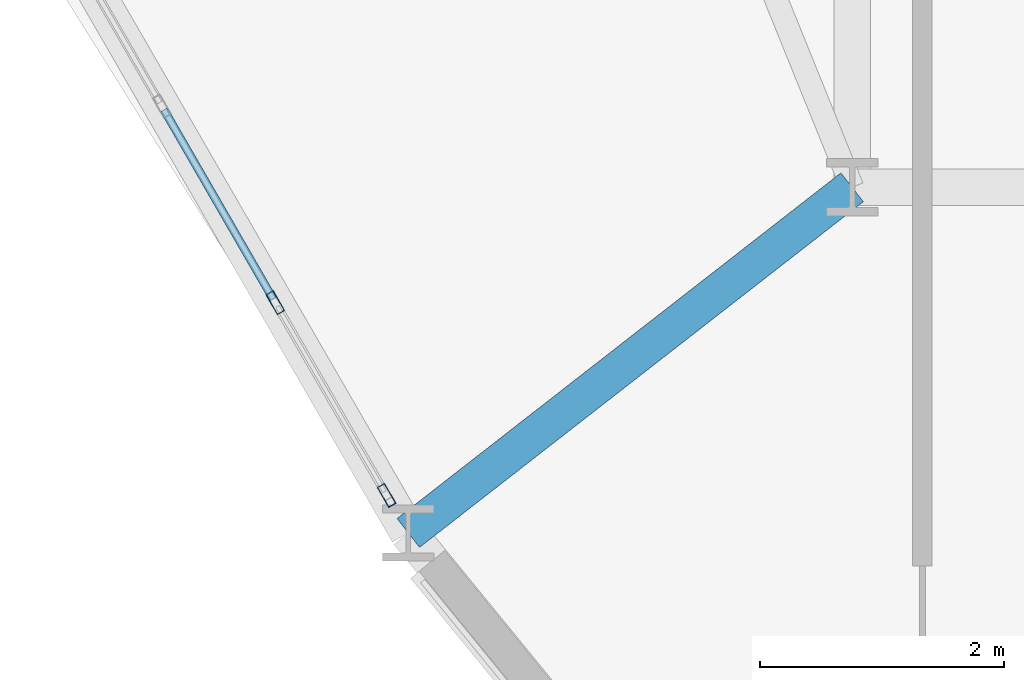
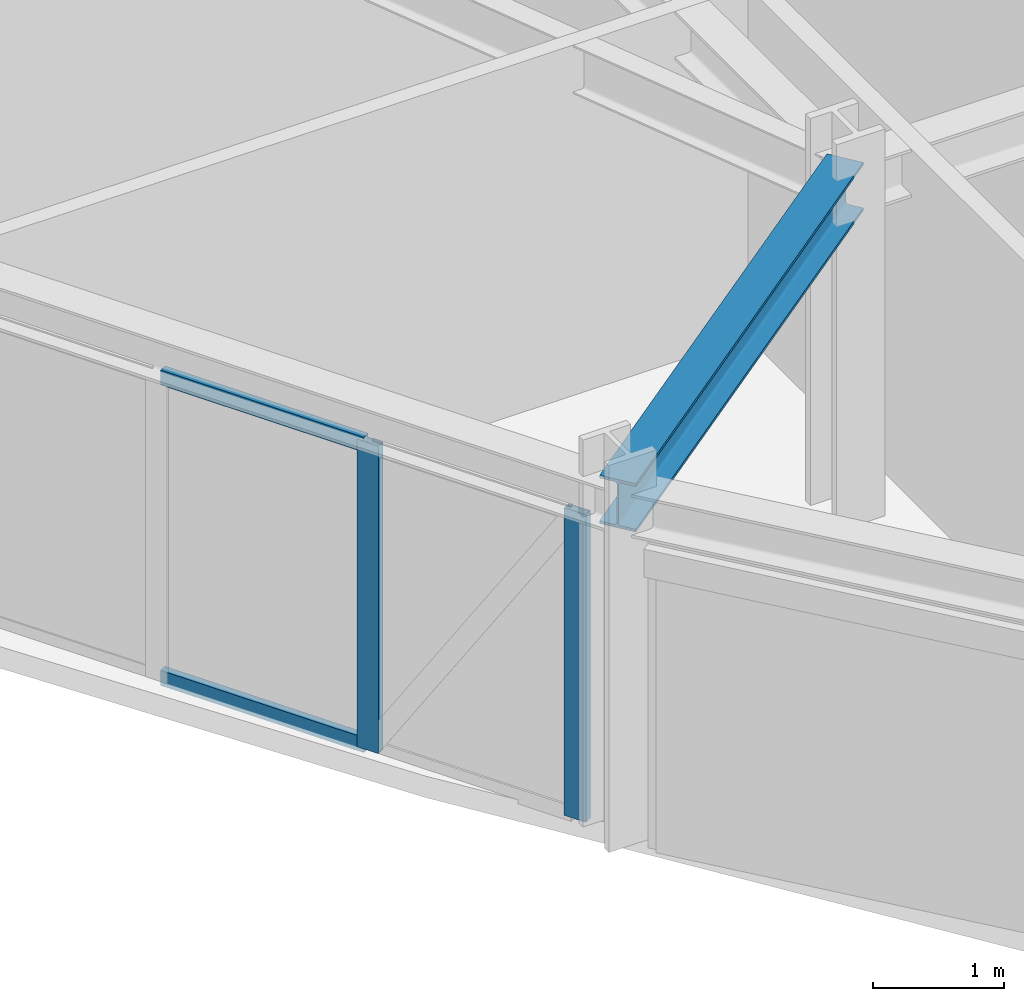
# One storey, part 2 of 17: 4 members, 1 beam, 1 element without a shape of its own.
"""IFC4 building model written with IfcOpenShell, lengths in metres."""

import ifcopenshell
import ifcopenshell.guid

model = None  # the IFC model being written
_history = None  # IfcOwnerHistory: only IFC2X3 demands one
_inside = {}  # id of a spatial element -> (the spatial element, [elements in it])
_under = {}  # id of a project, library or spatial element -> (it, [spatial elements below it])
_declared = {}  # id of a project -> (the project, [libraries it declares])
_typed = {}  # id of a type object -> (the type object, [elements of that type])
_made_of = {}  # id of a material, layer set ... -> (it, [elements and type objects made of it])


def new_model(schema):
    """Start an empty IFC model of exactly this schema.

    Asked for "IFC4X3", IfcOpenShell would pick the latest addendum, in which some entities
    have other attributes; the version numbers below select the first issue.
    IFC2X3 requires an IfcOwnerHistory on every rooted entity: one is made here for all.
    """
    global model, _history
    if schema == "IFC4X3":
        model = ifcopenshell.file(schema_version=(4, 3, 0, 0))
    else:
        model = ifcopenshell.file(schema=schema)
    _inside.clear()
    _under.clear()
    _declared.clear()
    _typed.clear()
    _made_of.clear()
    _history = None
    if model.schema == "IFC2X3":
        org = make("IfcOrganization", Name="unknown")
        user = make(
            "IfcPersonAndOrganization",
            ThePerson=make("IfcPerson", FamilyName="unknown"),
            TheOrganization=org,
        )
        app = make(
            "IfcApplication",
            ApplicationDeveloper=org,
            Version="unknown",
            ApplicationFullName="unknown",
            ApplicationIdentifier="unknown",
        )
        _history = make(
            "IfcOwnerHistory",
            OwningUser=user,
            OwningApplication=app,
            ChangeAction="ADDED",
            CreationDate=0,
        )
    return model


def make(cls, **values):
    """One entity of the class cls with the attributes given. An attribute that is None is left unset."""
    return model.create_entity(
        cls, **{name: value for name, value in values.items() if value is not None}
    )


def rooted(cls, **values):
    """An entity with a GlobalId (a new one), such as an element, a storey or a relation."""
    return make(cls, GlobalId=ifcopenshell.guid.new(), OwnerHistory=_history, **values)


def si_unit(unit_type, name, prefix=None):
    """IfcSIUnit, for example si_unit("LENGTHUNIT", "METRE", prefix="MILLI")."""
    return make("IfcSIUnit", UnitType=unit_type, Prefix=prefix, Name=name)


def derived_unit(unit_type, elements):
    """IfcDerivedUnit: a product of units, each with its exponent."""
    return make(
        "IfcDerivedUnit",
        Elements=[
            make("IfcDerivedUnitElement", Unit=unit, Exponent=power)
            for unit, power in elements
        ],
        UnitType=unit_type,
    )


def assignment(units):
    """IfcUnitAssignment: the units of a project."""
    return None if units is None else make("IfcUnitAssignment", Units=units)


def point(xyz):
    """IfcCartesianPoint."""
    return None if xyz is None else make("IfcCartesianPoint", Coordinates=xyz)


def direction(xyz):
    """IfcDirection."""
    return None if xyz is None else make("IfcDirection", DirectionRatios=xyz)


def frame(location, z_axis=None, x_axis=None):
    """IfcAxis2Placement3D, a coordinate frame: its origin and axes. An axis left out is left unset."""
    return make(
        "IfcAxis2Placement3D",
        Location=point(location),
        Axis=direction(z_axis),
        RefDirection=direction(x_axis),
    )


def frame_2d(location, x_axis=None):
    """IfcAxis2Placement2D, a coordinate frame in the plane: its origin and x axis."""
    return make(
        "IfcAxis2Placement2D", Location=point(location), RefDirection=direction(x_axis)
    )


def origin():
    """The frame at (0, 0, 0) with its axes left unset."""
    return frame((0.0, 0.0, 0.0))


def origin_2d():
    """The frame at (0, 0) in the plane with its x axis left unset."""
    return frame_2d((0.0, 0.0))


def place(relative_to, where):
    """IfcLocalPlacement: puts the frame where relative to a parent placement (None: the world)."""
    return make(
        "IfcLocalPlacement", PlacementRelTo=relative_to, RelativePlacement=where
    )


def context(
    kind, dimensions, precision=None, world=None, true_north=None, identifier=None
):
    """IfcGeometricRepresentationContext, for example the 3D "Model" context."""
    return make(
        "IfcGeometricRepresentationContext",
        ContextIdentifier=identifier,
        ContextType=kind,
        CoordinateSpaceDimension=dimensions,
        Precision=precision,
        WorldCoordinateSystem=world,
        TrueNorth=true_north,
    )


def subcontext(parent, identifier, kind, view, scale=None):
    """IfcGeometricRepresentationSubContext, for example "Body" below "Model"."""
    return make(
        "IfcGeometricRepresentationSubContext",
        ContextIdentifier=identifier,
        ContextType=kind,
        ParentContext=parent,
        TargetScale=scale,
        TargetView=view,
    )


def project(units=None, contexts=None):
    """IfcProject with its units and contexts."""
    return rooted(
        "IfcProject",
        Name="project",
        RepresentationContexts=contexts,
        UnitsInContext=assignment(units),
    )


def spatial(cls, under=None, at=None, **own):
    """A site, building, storey or space (cls), placed at a placement, below another one or the project."""
    s = rooted(cls, ObjectPlacement=at, **own)
    if under is not None:
        _under.setdefault(under.id(), (under, []))[1].append(s)
    return s


def profile(cls, at=None, kind="AREA", **sizes):
    """A parametric profile (cls). Its sizes go by their IFC names, for example OverallWidth=200.0."""
    return make(cls, ProfileType=kind, Position=at, **sizes)


def hollow_rectangle(**sizes):
    """IfcRectangleHollowProfileDef."""
    return profile("IfcRectangleHollowProfileDef", **sizes)


def i_section(**sizes):
    """IfcIShapeProfileDef."""
    return profile("IfcIShapeProfileDef", **sizes)


def extrude(swept, where, along, depth):
    """IfcExtrudedAreaSolid: the profile swept, set in the frame where, extruded along a direction by depth."""
    return make(
        "IfcExtrudedAreaSolid",
        SweptArea=swept,
        Position=where,
        ExtrudedDirection=direction(along),
        Depth=depth,
    )


def shape(context_of_items, identifier, shape_type, items):
    """IfcShapeRepresentation: the items that make up one representation, for example the "Body"."""
    return make(
        "IfcShapeRepresentation",
        ContextOfItems=context_of_items,
        RepresentationIdentifier=identifier,
        RepresentationType=shape_type,
        Items=items,
    )


def source(mapping_origin, context_of_items, identifier, shape_type, items):
    """IfcRepresentationMap: a shape defined once, which mapped items show again and again."""
    return make(
        "IfcRepresentationMap",
        MappingOrigin=mapping_origin,
        MappedRepresentation=shape(context_of_items, identifier, shape_type, items),
    )


def transform(
    local_origin,
    x_axis=None,
    y_axis=None,
    z_axis=None,
    scale=None,
    scale2=None,
    scale3=None,
    uniform=True,
):
    """IfcCartesianTransformationOperator3D, or its non-uniform kind. x_axis, y_axis, z_axis: its Axis1, 2, 3."""
    if uniform:
        return make(
            "IfcCartesianTransformationOperator3D",
            Axis1=direction(x_axis),
            Axis2=direction(y_axis),
            LocalOrigin=point(local_origin),
            Scale=scale,
            Axis3=direction(z_axis),
        )
    return make(
        "IfcCartesianTransformationOperator3DnonUniform",
        Axis1=direction(x_axis),
        Axis2=direction(y_axis),
        LocalOrigin=point(local_origin),
        Scale=scale,
        Axis3=direction(z_axis),
        Scale2=scale2,
        Scale3=scale3,
    )


def mapped(mapping_source, mapping_target):
    """IfcMappedItem: shows the shape of a source again, moved by a transform."""
    return make(
        "IfcMappedItem", MappingSource=mapping_source, MappingTarget=mapping_target
    )


def material(Name=None, Category=None):
    """IfcMaterial."""
    return make("IfcMaterial", Name=Name, Category=Category)


def layer(
    of_material, thickness, ventilated=None, Name=None, Category=None, Priority=None
):
    """IfcMaterialLayer: one layer of a wall or slab, of a material (None: an air gap)."""
    return make(
        "IfcMaterialLayer",
        Material=of_material,
        LayerThickness=thickness,
        IsVentilated=ventilated,
        Name=Name,
        Category=Category,
        Priority=Priority,
    )


def layer_set(layers, Name=None):
    """IfcMaterialLayerSet."""
    return make("IfcMaterialLayerSet", MaterialLayers=layers, LayerSetName=Name)


def material_profile(
    of_material, cross_section, Name=None, Category=None, Priority=None
):
    """IfcMaterialProfile: a cross section and its material."""
    return make(
        "IfcMaterialProfile",
        Name=Name,
        Material=of_material,
        Profile=cross_section,
        Priority=Priority,
        Category=Category,
    )


def profile_set(profiles, Name=None, composite=None):
    """IfcMaterialProfileSet."""
    return make(
        "IfcMaterialProfileSet",
        Name=Name,
        MaterialProfiles=profiles,
        CompositeProfile=composite,
    )


def made_of(thing, what):
    """Note that an element or type object is made of a material, layer set ...; save() writes the relation."""
    if what is not None:
        _made_of.setdefault(what.id(), (what, []))[1].append(thing)
    return thing


def type_object(cls, material=None, **own):
    """A type object (cls), such as IfcWallType, which elements share."""
    return made_of(rooted(cls, **own), material)


def element(
    cls,
    number,
    at=None,
    inside=None,
    cuts=None,
    type_object=None,
    material=None,
    context=None,
    identifier="Body",
    shape_type=None,
    held_by="IfcProductDefinitionShape",
    body=None,
    shapes=None,
    **own,
):
    """One element of the class cls, such as IfcWall. Its Tag is "e" and its number.

    at: its placement. inside: the storey or other place that contains it. cuts: it is an
    opening in that element (IfcRelVoidsElement). A single representation is given by context,
    identifier, shape_type and body (its items); several are given by shapes. held_by: the class
    of the entity that holds the representations. save() writes the other relations.
    """
    e = rooted(cls, Tag="e%d" % number, ObjectPlacement=at, **own)
    if body is not None:
        shapes = [shape(context, identifier, shape_type, body)]
    if shapes is not None:
        e.Representation = make(held_by, Representations=shapes)
    if inside is not None:
        _inside.setdefault(inside.id(), (inside, []))[1].append(e)
    if cuts is not None:
        rooted(
            "IfcRelVoidsElement", RelatingBuildingElement=cuts, RelatedOpeningElement=e
        )
    if type_object is not None:
        _typed.setdefault(type_object.id(), (type_object, []))[1].append(e)
    return made_of(e, material)


def aggregate(whole, parts):
    """IfcRelAggregates: a whole, such as a stair, and the parts it consists of."""
    return rooted("IfcRelAggregates", RelatingObject=whole, RelatedObjects=parts)


def save(model, path):
    """Write the relations noted so far, then the file.

    IfcRelAggregates (storeys below a building ...), IfcRelContainedInSpatialStructure (elements
    in a storey), IfcRelDefinesByType, IfcRelAssociatesMaterial and IfcRelDeclares: one each for
    every whole, place, type object, material and project.
    """
    for whole, parts in _under.values():
        aggregate(whole, parts)
    for where, things in _inside.values():
        rooted(
            "IfcRelContainedInSpatialStructure",
            RelatedElements=things,
            RelatingStructure=where,
        )
    for kind, things in _typed.values():
        rooted("IfcRelDefinesByType", RelatedObjects=things, RelatingType=kind)
    for what, things in _made_of.values():
        rooted("IfcRelAssociatesMaterial", RelatedObjects=things, RelatingMaterial=what)
    for by, libraries in _declared.values():
        rooted("IfcRelDeclares", RelatingContext=by, RelatedDefinitions=libraries)
    model.write(path)


model = new_model("IFC4")

# Units and contexts
model_context = context("Model", 3, precision=1e-05, world=origin(), true_north=direction((0.0, 1.0)))
body_context = subcontext(model_context, "Body", "Model", "MODEL_VIEW")
ifc_project = project(units=[si_unit("LENGTHUNIT", "METRE"), si_unit("AREAUNIT", "SQUARE_METRE"), si_unit("VOLUMEUNIT", "CUBIC_METRE"), si_unit("PLANEANGLEUNIT", "RADIAN"), si_unit("MASSUNIT", "GRAM", prefix="KILO"), derived_unit("THERMALTRANSMITTANCEUNIT", [(si_unit("POWERUNIT", "WATT"), 1), (si_unit("LENGTHUNIT", "METRE"), -2), (si_unit("THERMODYNAMICTEMPERATUREUNIT", "KELVIN"), -1)])], contexts=[model_context])

# Site, building, storey
site_placement = place(None, origin())
site = spatial("IfcSite", under=ifc_project, at=site_placement, CompositionType="ELEMENT")
building_placement = place(site_placement, origin())
building = spatial("IfcBuilding", under=site, at=building_placement, Name="Korsvarv Bourse and Concert Hall", CompositionType="ELEMENT")
storey_placement = place(building_placement, frame((0.0, 0.0, 127.800048828125)))
storey = spatial("IfcBuildingStorey", under=building, at=storey_placement, Name="L32", CompositionType="ELEMENT", Elevation=127.800048828125)

# Beam
ifc_material_1 = material(Name="Steel S355", Category="steel")
ifc_material_profile_1 = material_profile(ifc_material_1, i_section(OverallWidth=0.300048828125, OverallDepth=0.449951171875, WebThickness=0.013916015625, FlangeThickness=0.02587890625, FilletRadius=0.02099609375, at=origin_2d()), Name="HEB 450")
ifc_profile_set_1 = profile_set([ifc_material_profile_1], Name="Steel S355")
beam_type = type_object("IfcBeamType", Name="BM-HEB450", PredefinedType="SPANDREL", material=ifc_profile_set_1)
shared_shape_1 = source(origin(), body_context, "Body", "SweptSolid", [
    extrude(i_section(OverallWidth=0.300048828125, OverallDepth=0.449951171875, WebThickness=0.013916015625, FlangeThickness=0.02587890625, FilletRadius=0.02099609375, at=origin_2d()), origin(), (0.0, 0.0, 1.0), 4.610595703125),
])
beam_placement = place(storey_placement, frame((23.96240234375, 21.167236328125, 3.034912109375), z_axis=(0.788989967488, 0.614406080051, 0.0), x_axis=(-0.614406080051, 0.788989967488, 0.0)))
element("IfcBeam", 1, at=beam_placement, inside=storey, type_object=beam_type, Name="L32 beam B-08", PredefinedType="SPANDREL", context=body_context, shape_type="MappedRepresentation", body=[
    mapped(shared_shape_1, transform((0.0, 0.0, 0.0), scale=1.0)),
])

# Curtain wall, members
ifc_material_2 = material(Name="Anodised aluminium and triple low-E glazing", Category="glass")
ifc_layer = layer(ifc_material_2, 0.2099609375)
ifc_layer_set = layer_set([ifc_layer], Name="Anodised aluminium and triple low-E glazing")
curtain_wall_type = type_object("IfcCurtainWallType", Name="CW-SYS-2", PredefinedType="NOTDEFINED", material=ifc_layer_set)
curtain_wall_placement = place(storey_placement, origin())
curtain_wall = element("IfcCurtainWall", 2, at=curtain_wall_placement, inside=storey, type_object=curtain_wall_type, Name="L32 CW2 curtain wall CW-L32-F07", PredefinedType="NOTDEFINED")
ifc_material_3 = material(Name="Extruded aluminium EN AW-6063 T66", Category="aluminium")
ifc_material_profile_2 = material_profile(ifc_material_3, hollow_rectangle(XDim=0.06494140625, YDim=0.139892578125, WallThickness=0.00390625, at=origin_2d()), Name="ALU-T 65x140")
ifc_profile_set_2 = profile_set([ifc_material_profile_2], Name="Extruded aluminium EN AW-6063 T66")
member_type_1 = type_object("IfcMemberType", Name="CWT-140", PredefinedType="USERDEFINED", material=ifc_profile_set_2)
shared_shape_2 = source(origin(), body_context, "Body", "SweptSolid", [
    extrude(hollow_rectangle(XDim=0.06494140625, YDim=0.139892578125, WallThickness=0.00390625, at=origin_2d()), origin(), (0.0, 0.0, 1.0), 1.788818359375),
])
member_1_placement = place(storey_placement, frame((21.9609375, 24.63427734375, 0.032470703125), z_axis=(0.499911478227, -0.866076505822, 0.0), x_axis=(0.866076505822, 0.499911478227, 0.0)))
member_1 = element("IfcMember", 3, at=member_1_placement, type_object=member_type_1, Name="CW2 transom 6.1", ObjectType="TRANSOM", PredefinedType="USERDEFINED", context=body_context, shape_type="MappedRepresentation", body=[
    mapped(shared_shape_2, transform((0.0, 0.0, 0.0), scale=1.0)),
])
member_2_placement = place(storey_placement, frame((21.9609375, 24.63427734375, 2.827392578125), z_axis=(0.499911478227, -0.866076505822, 0.0), x_axis=(0.866076505822, 0.499911478227, 0.0)))
member_2 = element("IfcMember", 4, at=member_2_placement, type_object=member_type_1, Name="CW2 transom 6.2", ObjectType="TRANSOM", PredefinedType="USERDEFINED", context=body_context, shape_type="MappedRepresentation", body=[
    mapped(shared_shape_2, transform((0.0, 0.0, 0.0), scale=1.0)),
])
ifc_material_profile_3 = material_profile(ifc_material_3, hollow_rectangle(XDim=0.070068359375, YDim=0.18994140625, WallThickness=0.0048828125, at=origin_2d()), Name="ALU-M 70x190")
ifc_profile_set_3 = profile_set([ifc_material_profile_3], Name="Extruded aluminium EN AW-6063 T66")
member_type_2 = type_object("IfcMemberType", Name="CWM-190", PredefinedType="MULLION", material=ifc_profile_set_3)
shared_shape_3 = source(origin(), body_context, "Body", "SweptSolid", [
    extrude(hollow_rectangle(XDim=0.070068359375, YDim=0.18994140625, WallThickness=0.0048828125, at=origin_2d()), origin(), (0.0, 0.0, 1.0), 2.85986328125),
])
member_3_placement = place(storey_placement, frame((22.872802734375, 23.0546875, 0.0), z_axis=(0.0, 0.0, 1.0), x_axis=(0.866021265954, 0.500007166863, 0.0)))
member_3 = element("IfcMember", 5, at=member_3_placement, type_object=member_type_2, Name="CW2 mullion 7", PredefinedType="MULLION", context=body_context, shape_type="MappedRepresentation", body=[
    mapped(shared_shape_3, transform((0.0, 0.0, 0.0), scale=1.0)),
])
member_4_placement = place(storey_placement, frame((23.784912109375, 21.47509765625, 0.0), z_axis=(0.0, 0.0, 1.0), x_axis=(0.866021265954, 0.500007166863, 0.0)))
member_4 = element("IfcMember", 6, at=member_4_placement, type_object=member_type_2, Name="CW2 mullion 8", PredefinedType="MULLION", context=body_context, shape_type="MappedRepresentation", body=[
    mapped(shared_shape_3, transform((0.0, 0.0, 0.0), scale=1.0)),
])
aggregate(curtain_wall, [member_3, member_4, member_1, member_2])

save(model, "model.ifc")
